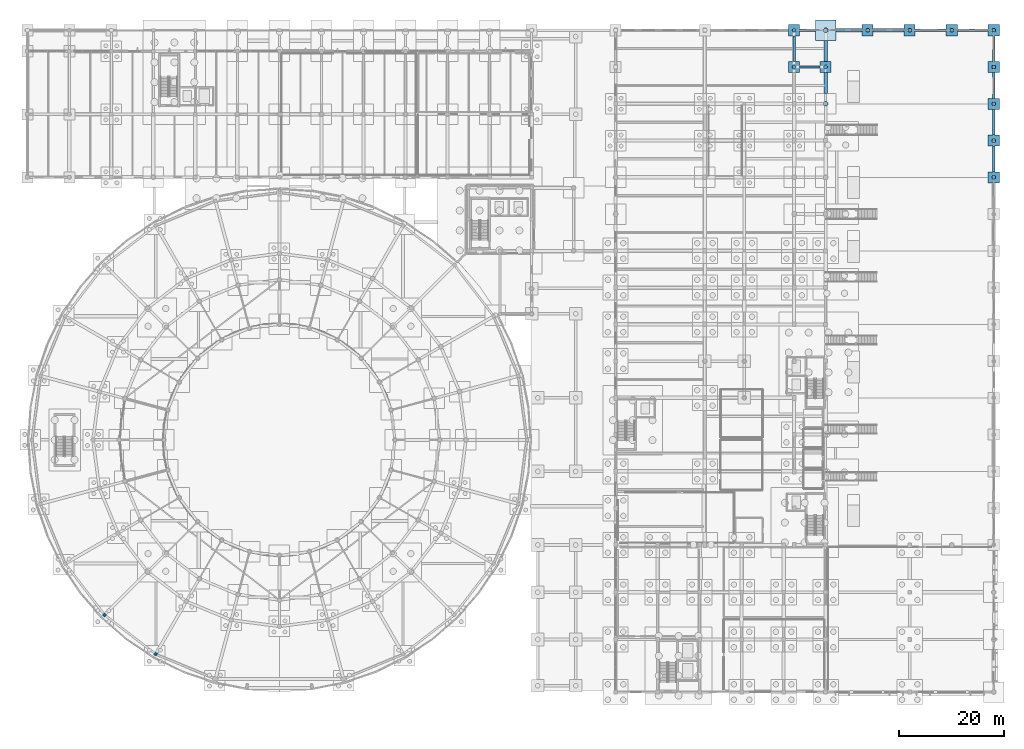
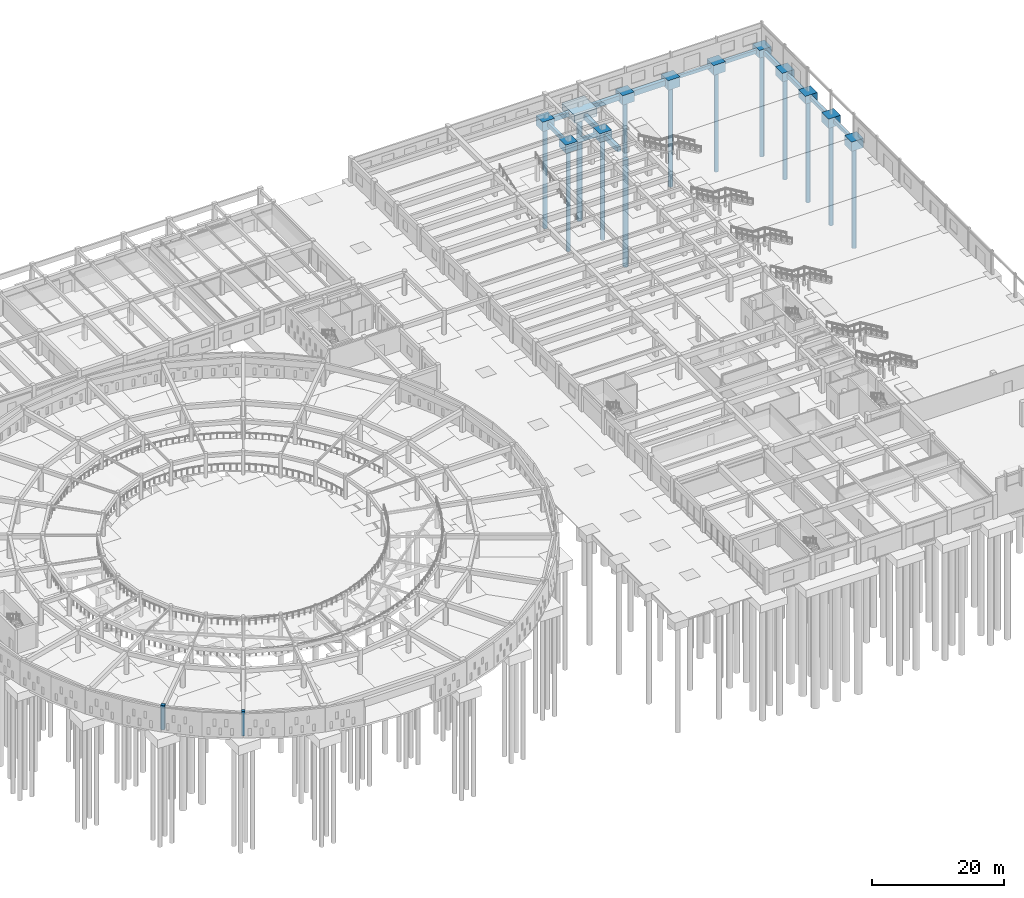
# One storey, part 12 of 84: 25 footings, 13 piles, 2 columns.
"""IFC4 building model written with IfcOpenShell, lengths in metres."""

from ifc_helpers import new_model, si_unit, direction, frame, origin, origin_2d, place, context, subcontext, project, spatial, rectangle, circle, extrude, material, material_profile, profile_set, type_object, element, save


model = new_model("IFC4")

# Units and contexts
model_context = context("Model", 3, precision=1e-05, world=origin(), true_north=direction((0.0, 1.0)))
body_context = subcontext(model_context, "Body", "Model", "MODEL_VIEW")
ifc_project = project(units=[si_unit("LENGTHUNIT", "METRE"), si_unit("AREAUNIT", "SQUARE_METRE"), si_unit("VOLUMEUNIT", "CUBIC_METRE"), si_unit("PLANEANGLEUNIT", "RADIAN"), si_unit("MASSUNIT", "GRAM", prefix="KILO")], contexts=[model_context])

# Site, building, storey
site_placement = place(None, origin())
site = spatial("IfcSite", under=ifc_project, at=site_placement, CompositionType="ELEMENT")
building_placement = place(site_placement, origin())
building = spatial("IfcBuilding", under=site, at=building_placement, Name="Larkveld Mobility Hub", CompositionType="ELEMENT")
storey_placement = place(building_placement, origin())
storey = spatial("IfcBuildingStorey", under=building, at=storey_placement, Name="L00", CompositionType="ELEMENT", Elevation=0.0)

# Footings
ifc_material_1 = material(Name="Concrete C35/45", Category="concrete")
ifc_material_profile_1 = material_profile(ifc_material_1, rectangle(XDim=0.39990234375, YDim=0.60009765625, at=origin_2d()), Name="RC BM 400x600")
ifc_profile_set_1 = profile_set([ifc_material_profile_1], Name="Concrete C35/45")
footing_type_1 = type_object("IfcFootingType", Name="FT-FB01", PredefinedType="FOOTING_BEAM", material=ifc_profile_set_1)
footing_1_placement = place(storey_placement, frame((169.050048828125, 126.0, -0.64990234375), z_axis=(1.0, 0.0, 0.0), x_axis=(0.0, 1.0, 0.0)))
element("IfcFooting", 1, at=footing_1_placement, inside=storey, type_object=footing_type_1, Name="Ground Tie Beam GB-097", PredefinedType="FOOTING_BEAM", context=body_context, shape_type="SweptSolid", body=[
    extrude(rectangle(XDim=0.39990234375, YDim=0.60009765625, at=origin_2d()), origin(), (0.0, 0.0, 1.0), 5.89990234375),
])
footing_2_placement = place(storey_placement, frame((184.0, 99.050048828125, -0.64990234375), z_axis=(0.0, 1.0, 0.0), x_axis=(-1.0, 0.0, 0.0)))
element("IfcFooting", 2, at=footing_2_placement, inside=storey, type_object=footing_type_1, Name="Ground Tie Beam GB-205", PredefinedType="FOOTING_BEAM", context=body_context, shape_type="SweptSolid", body=[
    extrude(rectangle(XDim=0.39990234375, YDim=0.60009765625, at=origin_2d()), origin(), (0.0, 0.0, 1.0), 4.89990234375),
])
ifc_material_profile_2 = material_profile(ifc_material_1, rectangle(XDim=0.449951171875, YDim=0.699951171875, at=origin_2d()), Name="RC BM 450x700")
ifc_profile_set_2 = profile_set([ifc_material_profile_2], Name="Concrete C35/45")
footing_type_2 = type_object("IfcFootingType", Name="FT-FB02", PredefinedType="FOOTING_BEAM", material=ifc_profile_set_2)
footing_3_placement = place(storey_placement, frame((147.050048828125, 119.0, -0.699951171875), z_axis=(1.0, 0.0, 0.0), x_axis=(0.0, 1.0, 0.0)))
element("IfcFooting", 3, at=footing_3_placement, inside=storey, type_object=footing_type_2, Name="Ground Tie Beam GB-080", PredefinedType="FOOTING_BEAM", context=body_context, shape_type="SweptSolid", body=[
    extrude(rectangle(XDim=0.449951171875, YDim=0.699951171875, at=origin_2d()), origin(), (0.0, 0.0, 1.0), 3.89990234375),
])
footing_4_placement = place(storey_placement, frame((177.050048828125, 126.0, -0.699951171875), z_axis=(1.0, 0.0, 0.0), x_axis=(0.0, 1.0, 0.0)))
element("IfcFooting", 4, at=footing_4_placement, inside=storey, type_object=footing_type_2, Name="Ground Tie Beam GB-098", PredefinedType="FOOTING_BEAM", context=body_context, shape_type="SweptSolid", body=[
    extrude(rectangle(XDim=0.449951171875, YDim=0.699951171875, at=origin_2d()), origin(), (0.0, 0.0, 1.0), 5.89990234375),
])
for number, where, z_axis, x_axis, name in (
    (5, (146.0, 120.050048828125, -0.699951171875), (0.0, 1.0, 0.0), (-1.0, 0.0, 0.0), "Ground Tie Beam GB-182"),
    (6, (184.0, 106.050048828125, -0.699951171875), (0.0, 1.0, 0.0), (-1.0, 0.0, 0.0), "Ground Tie Beam GB-206"),
):
    element("IfcFooting", number, at=place(storey_placement, frame(where, z_axis=z_axis, x_axis=x_axis)), inside=storey, type_object=footing_type_2, Name=name, PredefinedType="FOOTING_BEAM", context=body_context, shape_type="SweptSolid", body=[
        extrude(rectangle(XDim=0.449951171875, YDim=0.699951171875, at=origin_2d()), origin(), (0.0, 0.0, 1.0), 4.89990234375),
    ])
ifc_material_profile_3 = material_profile(ifc_material_1, rectangle(XDim=0.5, YDim=0.800048828125, at=origin_2d()), Name="RC BM 500x800")
ifc_profile_set_3 = profile_set([ifc_material_profile_3], Name="Concrete C35/45")
footing_type_3 = type_object("IfcFootingType", Name="FT-FB03", PredefinedType="FOOTING_BEAM", material=ifc_profile_set_3)
footing_5_placement = place(storey_placement, frame((184.0, 113.050048828125, -0.75), z_axis=(0.0, 1.0, 0.0), x_axis=(-1.0, 0.0, 0.0)))
element("IfcFooting", 7, at=footing_5_placement, inside=storey, type_object=footing_type_3, Name="Ground Tie Beam GB-207", PredefinedType="FOOTING_BEAM", context=body_context, shape_type="SweptSolid", body=[
    extrude(rectangle(XDim=0.5, YDim=0.800048828125, at=origin_2d()), origin(), (0.0, 0.0, 1.0), 4.89990234375),
])
ifc_material_profile_4 = material_profile(ifc_material_1, rectangle(XDim=0.550048828125, YDim=0.85009765625, at=origin_2d()), Name="RC BM 550x850")
ifc_profile_set_4 = profile_set([ifc_material_profile_4], Name="Concrete C35/45")
footing_type_4 = type_object("IfcFootingType", Name="FT-FB04", PredefinedType="FOOTING_BEAM", material=ifc_profile_set_4)
footing_6_placement = place(storey_placement, frame((147.050048828125, 126.0, -0.77490234375), z_axis=(1.0, 0.0, 0.0), x_axis=(0.0, 1.0, 0.0)))
element("IfcFooting", 8, at=footing_6_placement, inside=storey, type_object=footing_type_4, Name="Ground Tie Beam GB-094", PredefinedType="FOOTING_BEAM", context=body_context, shape_type="SweptSolid", body=[
    extrude(rectangle(XDim=0.550048828125, YDim=0.85009765625, at=origin_2d()), origin(), (0.0, 0.0, 1.0), 3.0),
])
footing_7_placement = place(storey_placement, frame((184.0, 120.050048828125, -0.77490234375), z_axis=(0.0, 1.0, 0.0), x_axis=(-1.0, 0.0, 0.0)))
element("IfcFooting", 9, at=footing_7_placement, inside=storey, type_object=footing_type_4, Name="Ground Tie Beam GB-208", PredefinedType="FOOTING_BEAM", context=body_context, shape_type="SweptSolid", body=[
    extrude(rectangle(XDim=0.550048828125, YDim=0.85009765625, at=origin_2d()), origin(), (0.0, 0.0, 1.0), 4.89990234375),
])
ifc_material_profile_5 = material_profile(ifc_material_1, rectangle(XDim=0.60009765625, YDim=0.89990234375, at=origin_2d()), Name="RC BM 600x900")
ifc_profile_set_5 = profile_set([ifc_material_profile_5], Name="Concrete C35/45")
footing_type_5 = type_object("IfcFootingType", Name="FT-FB05", PredefinedType="FOOTING_BEAM", material=ifc_profile_set_5)
footing_8_placement = place(storey_placement, frame((153.949951171875, 126.0, -0.800048828125), z_axis=(1.0, 0.0, 0.0), x_axis=(0.0, 1.0, 0.0)))
element("IfcFooting", 10, at=footing_8_placement, inside=storey, type_object=footing_type_5, Name="Ground Tie Beam GB-095", PredefinedType="FOOTING_BEAM", context=body_context, shape_type="SweptSolid", body=[
    extrude(rectangle(XDim=0.60009765625, YDim=0.89990234375, at=origin_2d()), origin(), (0.0, 0.0, 1.0), 5.0),
])
footing_9_placement = place(storey_placement, frame((152.0, 113.949951171875, -0.800048828125), z_axis=(0.0, 1.0, 0.0), x_axis=(-1.0, 0.0, 0.0)))
element("IfcFooting", 11, at=footing_9_placement, inside=storey, type_object=footing_type_5, Name="Ground Tie Beam GB-185", PredefinedType="FOOTING_BEAM", context=body_context, shape_type="SweptSolid", body=[
    extrude(rectangle(XDim=0.60009765625, YDim=0.89990234375, at=origin_2d()), origin(), (0.0, 0.0, 1.0), 4.0),
])
ifc_material_profile_6 = material_profile(ifc_material_1, rectangle(XDim=0.64990234375, YDim=1.0, at=origin_2d()), Name="RC BM 650x1000")
ifc_profile_set_6 = profile_set([ifc_material_profile_6], Name="Concrete C35/45")
footing_type_6 = type_object("IfcFootingType", Name="FT-FB06", PredefinedType="FOOTING_BEAM", material=ifc_profile_set_6)
footing_10_placement = place(storey_placement, frame((161.050048828125, 126.0, -0.85009765625), z_axis=(1.0, 0.0, 0.0), x_axis=(0.0, 1.0, 0.0)))
element("IfcFooting", 12, at=footing_10_placement, inside=storey, type_object=footing_type_6, Name="Ground Tie Beam GB-096", PredefinedType="FOOTING_BEAM", context=body_context, shape_type="SweptSolid", body=[
    extrude(rectangle(XDim=0.64990234375, YDim=1.0, at=origin_2d()), origin(), (0.0, 0.0, 1.0), 5.89990234375),
])
footing_11_placement = place(storey_placement, frame((152.0, 120.050048828125, -0.85009765625), z_axis=(0.0, 1.0, 0.0), x_axis=(-1.0, 0.0, 0.0)))
element("IfcFooting", 13, at=footing_11_placement, inside=storey, type_object=footing_type_6, Name="Ground Tie Beam GB-186", PredefinedType="FOOTING_BEAM", context=body_context, shape_type="SweptSolid", body=[
    extrude(rectangle(XDim=0.64990234375, YDim=1.0, at=origin_2d()), origin(), (0.0, 0.0, 1.0), 4.0),
])
footing_type_7 = type_object("IfcFootingType", Name="FT-PC02", PredefinedType="PILE_CAP", material=ifc_material_1)
footing_12_placement = place(storey_placement, frame((184.0, 112.0, -1.4501953125), z_axis=(0.0, 0.0, 1.0), x_axis=(1.0, 0.0, 0.0)))
element("IfcFooting", 14, at=footing_12_placement, inside=storey, type_object=footing_type_7, Name="Pile Cap PC-194", PredefinedType="PILE_CAP", context=body_context, shape_type="SweptSolid", body=[
    extrude(rectangle(XDim=2.10009765625, YDim=2.10009765625, at=origin_2d()), origin(), (0.0, 0.0, 1.0), 1.449951171875),
])
footing_13_placement = place(storey_placement, frame((152.0, 126.0, -1.4501953125), z_axis=(0.0, 0.0, 1.0), x_axis=(1.0, 0.0, 0.0)))
element("IfcFooting", 15, at=footing_13_placement, inside=storey, type_object=footing_type_7, Name="Pile Cap PC-210", PredefinedType="PILE_CAP", context=body_context, shape_type="SweptSolid", body=[
    extrude(rectangle(XDim=3.89990234375, YDim=3.89990234375, at=origin_2d()), origin(), (0.0, 0.0, 1.0), 1.449951171875),
])
footing_type_8 = type_object("IfcFootingType", Name="FT-PC04", PredefinedType="PILE_CAP", material=ifc_material_1)
footing_14_placement = place(storey_placement, frame((146.0, 119.0, -1.5498046875), z_axis=(0.0, 0.0, 1.0), x_axis=(1.0, 0.0, 0.0)))
element("IfcFooting", 16, at=footing_14_placement, inside=storey, type_object=footing_type_8, Name="Pile Cap PC-196", PredefinedType="PILE_CAP", context=body_context, shape_type="SweptSolid", body=[
    extrude(rectangle(XDim=2.10009765625, YDim=2.10009765625, at=origin_2d()), origin(), (0.0, 0.0, 1.0), 1.550048828125),
])
footing_type_9 = type_object("IfcFootingType", Name="FT-PC05", PredefinedType="PILE_CAP", material=ifc_material_1)
footing_15_placement = place(storey_placement, frame((152.0, 119.0, -1.60009765625), z_axis=(0.0, 0.0, 1.0), x_axis=(1.0, 0.0, 0.0)))
element("IfcFooting", 17, at=footing_15_placement, inside=storey, type_object=footing_type_9, Name="Pile Cap PC-197", PredefinedType="PILE_CAP", context=body_context, shape_type="SweptSolid", body=[
    extrude(rectangle(XDim=2.10009765625, YDim=2.10009765625, at=origin_2d()), origin(), (0.0, 0.0, 1.0), 1.60009765625),
])
footing_type_10 = type_object("IfcFootingType", Name="FT-PC06", PredefinedType="PILE_CAP", material=ifc_material_1)
footing_16_placement = place(storey_placement, frame((184.0, 119.0, -1.60009765625), z_axis=(0.0, 0.0, 1.0), x_axis=(1.0, 0.0, 0.0)))
element("IfcFooting", 18, at=footing_16_placement, inside=storey, type_object=footing_type_10, Name="Pile Cap PC-198", PredefinedType="PILE_CAP", context=body_context, shape_type="SweptSolid", body=[
    extrude(rectangle(XDim=2.10009765625, YDim=2.10009765625, at=origin_2d()), origin(), (0.0, 0.0, 1.0), 1.60009765625),
])
footing_type_11 = type_object("IfcFootingType", Name="FT-PC09", PredefinedType="PILE_CAP", material=ifc_material_1)
footing_17_placement = place(storey_placement, frame((146.0, 126.0, -1.75), z_axis=(0.0, 0.0, 1.0), x_axis=(1.0, 0.0, 0.0)))
element("IfcFooting", 19, at=footing_17_placement, inside=storey, type_object=footing_type_11, Name="Pile Cap PC-217", PredefinedType="PILE_CAP", context=body_context, shape_type="SweptSolid", body=[
    extrude(rectangle(XDim=2.10009765625, YDim=2.10009765625, at=origin_2d()), origin(), (0.0, 0.0, 1.0), 1.75),
])
footing_type_12 = type_object("IfcFootingType", Name="FT-PC10", PredefinedType="PILE_CAP", material=ifc_material_1)
for number, where, z_axis, x_axis, name in (
    (20, (184.0, 98.0, -1.75), (0.0, 0.0, 1.0), (1.0, 0.0, 0.0), "Pile Cap PC-170"),
    (21, (160.0, 126.0, -1.75), (0.0, 0.0, 1.0), (1.0, 0.0, 0.0), "Pile Cap PC-218"),
):
    element("IfcFooting", number, at=place(storey_placement, frame(where, z_axis=z_axis, x_axis=x_axis)), inside=storey, type_object=footing_type_12, Name=name, PredefinedType="PILE_CAP", context=body_context, shape_type="SweptSolid", body=[
        extrude(rectangle(XDim=2.10009765625, YDim=2.10009765625, at=origin_2d()), origin(), (0.0, 0.0, 1.0), 1.75),
    ])
footing_type_13 = type_object("IfcFootingType", Name="FT-PC11", PredefinedType="PILE_CAP", material=ifc_material_1)
footing_18_placement = place(storey_placement, frame((168.0, 126.0, -1.7998046875), z_axis=(0.0, 0.0, 1.0), x_axis=(1.0, 0.0, 0.0)))
element("IfcFooting", 22, at=footing_18_placement, inside=storey, type_object=footing_type_13, Name="Pile Cap PC-219", PredefinedType="PILE_CAP", context=body_context, shape_type="SweptSolid", body=[
    extrude(rectangle(XDim=2.10009765625, YDim=2.10009765625, at=origin_2d()), origin(), (0.0, 0.0, 1.0), 1.800048828125),
])
footing_type_14 = type_object("IfcFootingType", Name="FT-PC12", PredefinedType="PILE_CAP", material=ifc_material_1)
footing_19_placement = place(storey_placement, frame((176.0, 126.0, -1.7998046875), z_axis=(0.0, 0.0, 1.0), x_axis=(1.0, 0.0, 0.0)))
element("IfcFooting", 23, at=footing_19_placement, inside=storey, type_object=footing_type_14, Name="Pile Cap PC-220", PredefinedType="PILE_CAP", context=body_context, shape_type="SweptSolid", body=[
    extrude(rectangle(XDim=2.10009765625, YDim=2.10009765625, at=origin_2d()), origin(), (0.0, 0.0, 1.0), 1.800048828125),
])
footing_type_15 = type_object("IfcFootingType", Name="FT-PC13", PredefinedType="PILE_CAP", material=ifc_material_1)
footing_20_placement = place(storey_placement, frame((184.0, 126.0, -1.419921875), z_axis=(0.0, 0.0, 1.0), x_axis=(1.0, 0.0, 0.0)))
element("IfcFooting", 24, at=footing_20_placement, inside=storey, type_object=footing_type_15, Name="Pile Cap PC-221", PredefinedType="PILE_CAP", context=body_context, shape_type="SweptSolid", body=[
    extrude(rectangle(XDim=2.10009765625, YDim=2.10009765625, at=origin_2d()), origin(), (0.0, 0.0, 1.0), 1.419921875),
])
footing_type_16 = type_object("IfcFootingType", Name="FT-PC16", PredefinedType="PILE_CAP", material=ifc_material_1)
footing_21_placement = place(storey_placement, frame((184.0, 105.0, -1.72021484375), z_axis=(0.0, 0.0, 1.0), x_axis=(1.0, 0.0, 0.0)))
element("IfcFooting", 25, at=footing_21_placement, inside=storey, type_object=footing_type_16, Name="Pile Cap PC-176", PredefinedType="PILE_CAP", context=body_context, shape_type="SweptSolid", body=[
    extrude(rectangle(XDim=2.10009765625, YDim=2.10009765625, at=origin_2d()), origin(), (0.0, 0.0, 1.0), 1.719970703125),
])

# Piles
ifc_material_profile_7 = material_profile(ifc_material_1, circle(Radius=0.375, at=origin_2d()), Name="PILE D750")
ifc_profile_set_7 = profile_set([ifc_material_profile_7], Name="Concrete C35/45")
pile_type_1 = type_object("IfcPileType", Name="PL-B0750", PredefinedType="BORED", material=ifc_profile_set_7)
pile_1_placement = place(storey_placement, frame((184.0, 98.0, -1.64990234375), z_axis=(0.0, 0.0, -1.0), x_axis=(1.0, 0.0, 0.0)))
element("IfcPile", 26, at=pile_1_placement, inside=storey, type_object=pile_type_1, Name="Bored Pile P-0481", PredefinedType="BORED", context=body_context, shape_type="SweptSolid", body=[
    extrude(circle(Radius=0.375, at=origin_2d()), origin(), (0.0, 0.0, 1.0), 18.85009765625),
])
pile_2_placement = place(storey_placement, frame((184.0, 105.0, -1.6201171875), z_axis=(0.0, 0.0, -1.0), x_axis=(1.0, 0.0, 0.0)))
element("IfcPile", 27, at=pile_2_placement, inside=storey, type_object=pile_type_1, Name="Bored Pile P-0502", PredefinedType="BORED", context=body_context, shape_type="SweptSolid", body=[
    extrude(circle(Radius=0.375, at=origin_2d()), origin(), (0.0, 0.0, 1.0), 18.8798828125),
])
pile_3_placement = place(storey_placement, frame((184.0, 112.0, -1.35009765625), z_axis=(0.0, 0.0, -1.0), x_axis=(1.0, 0.0, 0.0)))
element("IfcPile", 28, at=pile_3_placement, inside=storey, type_object=pile_type_1, Name="Bored Pile P-0549", PredefinedType="BORED", context=body_context, shape_type="SweptSolid", body=[
    extrude(circle(Radius=0.375, at=origin_2d()), origin(), (0.0, 0.0, 1.0), 19.14990234375),
])
pile_4_placement = place(storey_placement, frame((146.0, 119.0, -1.449951171875), z_axis=(0.0, 0.0, -1.0), x_axis=(1.0, 0.0, 0.0)))
element("IfcPile", 29, at=pile_4_placement, inside=storey, type_object=pile_type_1, Name="Bored Pile P-0551", PredefinedType="BORED", context=body_context, shape_type="SweptSolid", body=[
    extrude(circle(Radius=0.375, at=origin_2d()), origin(), (0.0, 0.0, 1.0), 19.050048828125),
])
for number, where, z_axis, x_axis, name in (
    (30, (152.0, 119.0, -1.5), (0.0, 0.0, -1.0), (1.0, 0.0, 0.0), "Bored Pile P-0552"),
    (31, (184.0, 119.0, -1.5), (0.0, 0.0, -1.0), (1.0, 0.0, 0.0), "Bored Pile P-0553"),
):
    element("IfcPile", number, at=place(storey_placement, frame(where, z_axis=z_axis, x_axis=x_axis)), inside=storey, type_object=pile_type_1, Name=name, PredefinedType="BORED", context=body_context, shape_type="SweptSolid", body=[
        extrude(circle(Radius=0.375, at=origin_2d()), origin(), (0.0, 0.0, 1.0), 19.0),
    ])
for number, where, z_axis, x_axis, name in (
    (32, (146.0, 126.0, -1.64990234375), (0.0, 0.0, -1.0), (1.0, 0.0, 0.0), "Bored Pile P-0585"),
    (33, (160.0, 126.0, -1.64990234375), (0.0, 0.0, -1.0), (1.0, 0.0, 0.0), "Bored Pile P-0586"),
):
    element("IfcPile", number, at=place(storey_placement, frame(where, z_axis=z_axis, x_axis=x_axis)), inside=storey, type_object=pile_type_1, Name=name, PredefinedType="BORED", context=body_context, shape_type="SweptSolid", body=[
        extrude(circle(Radius=0.375, at=origin_2d()), origin(), (0.0, 0.0, 1.0), 18.85009765625),
    ])
for number, where, z_axis, x_axis, name in (
    (34, (168.0, 126.0, -1.699951171875), (0.0, 0.0, -1.0), (1.0, 0.0, 0.0), "Bored Pile P-0587"),
    (35, (176.0, 126.0, -1.699951171875), (0.0, 0.0, -1.0), (1.0, 0.0, 0.0), "Bored Pile P-0588"),
):
    element("IfcPile", number, at=place(storey_placement, frame(where, z_axis=z_axis, x_axis=x_axis)), inside=storey, type_object=pile_type_1, Name=name, PredefinedType="BORED", context=body_context, shape_type="SweptSolid", body=[
        extrude(circle(Radius=0.375, at=origin_2d()), origin(), (0.0, 0.0, 1.0), 18.800048828125),
    ])
pile_5_placement = place(storey_placement, frame((184.0, 126.0, -1.320068359375), z_axis=(0.0, 0.0, -1.0), x_axis=(1.0, 0.0, 0.0)))
element("IfcPile", 36, at=pile_5_placement, inside=storey, type_object=pile_type_1, Name="Bored Pile P-0589", PredefinedType="BORED", context=body_context, shape_type="SweptSolid", body=[
    extrude(circle(Radius=0.375, at=origin_2d()), origin(), (0.0, 0.0, 1.0), 19.179931640625),
])
ifc_material_profile_8 = material_profile(ifc_material_1, circle(Radius=0.449951171875, at=origin_2d()), Name="PILE D900")
ifc_profile_set_8 = profile_set([ifc_material_profile_8], Name="Concrete C35/45")
pile_type_2 = type_object("IfcPileType", Name="PL-B0900", PredefinedType="BORED", material=ifc_profile_set_8)
pile_6_placement = place(storey_placement, frame((152.0, 112.0, -1.300048828125), z_axis=(0.0, 0.0, -1.0), x_axis=(1.0, 0.0, 0.0)))
element("IfcPile", 37, at=pile_6_placement, inside=storey, type_object=pile_type_2, Name="Bored Pile P-0548", PredefinedType="BORED", context=body_context, shape_type="SweptSolid", body=[
    extrude(circle(Radius=0.449951171875, at=origin_2d()), origin(), (0.0, 0.0, 1.0), 19.89990234375),
])
pile_7_placement = place(storey_placement, frame((152.0, 126.0, -1.35009765625), z_axis=(0.0, 0.0, -1.0), x_axis=(1.0, 0.0, 0.0)))
element("IfcPile", 38, at=pile_7_placement, inside=storey, type_object=pile_type_2, Name="Bored Pile P-0578", PredefinedType="BORED", context=body_context, shape_type="SweptSolid", body=[
    extrude(circle(Radius=0.449951171875, at=origin_2d()), origin(), (0.0, 0.0, 1.0), 19.85009765625),
])

# Columns
ifc_material_2 = material(Name="Concrete C40/50", Category="concrete")
ifc_material_profile_9 = material_profile(ifc_material_2, rectangle(XDim=0.60009765625, YDim=0.60009765625, at=origin_2d()), Name="RC COL 600x600")
ifc_profile_set_9 = profile_set([ifc_material_profile_9], Name="Concrete C40/50")
column_type = type_object("IfcColumnType", Name="CL-RC600", PredefinedType="COLUMN", material=ifc_profile_set_9)
for number, where, z_axis, x_axis, name in (
    (39, (14.695068359375, 14.695068359375, 0.0), (0.0, 0.0, 1.0), (0.707106781187, 0.707106781187, 0.0), "Column DRM-R47-K30 (L00)"),
    (40, (24.449951171875, 7.2099609375, 0.0), (0.0, 0.0, 1.0), (0.5, 0.866025403784, 0.0), "Column DRM-R47-K32 (L00)"),
):
    element("IfcColumn", number, at=place(storey_placement, frame(where, z_axis=z_axis, x_axis=x_axis)), inside=storey, type_object=column_type, Name=name, PredefinedType="COLUMN", context=body_context, shape_type="SweptSolid", body=[
        extrude(rectangle(XDim=0.60009765625, YDim=0.60009765625, at=origin_2d()), origin(), (0.0, 0.0, 1.0), 4.5),
    ])

save(model, "model.ifc")
